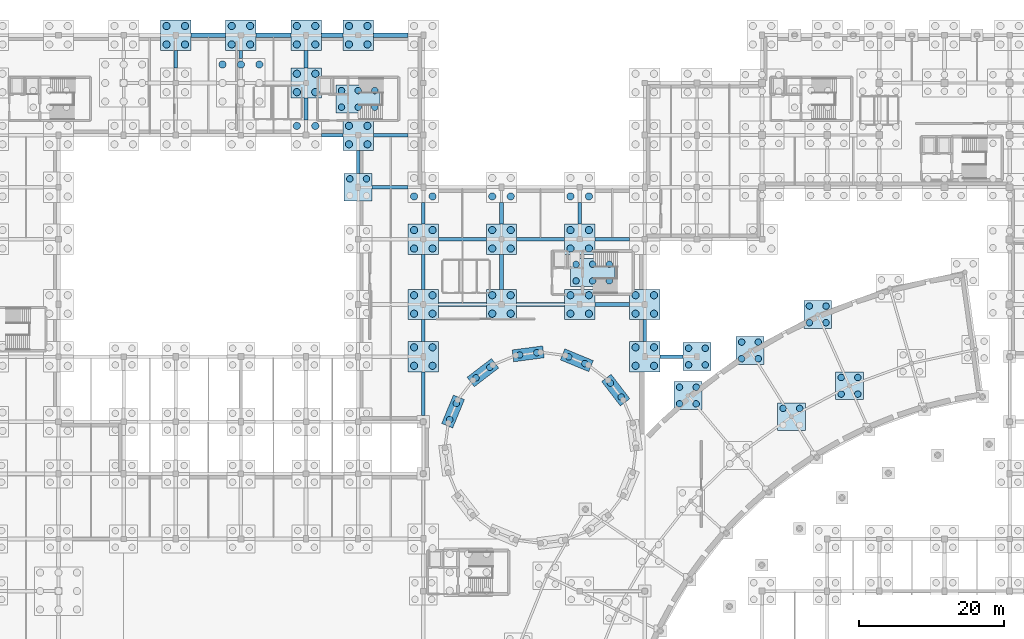
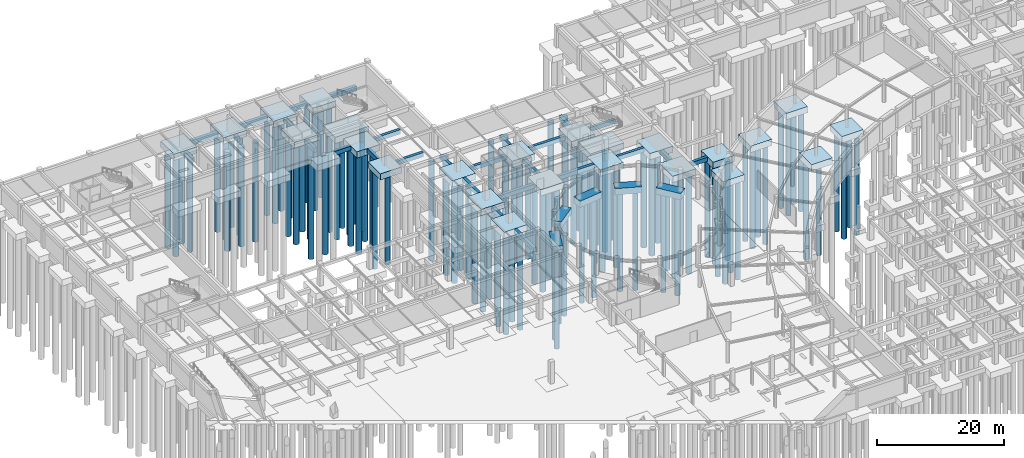
# One storey, part 7 of 42: 117 piles, 56 footings.
"""IFC4 building model written with IfcOpenShell, lengths in metres."""

from ifc_helpers import new_model, si_unit, direction, frame, frame_2d, origin, origin_2d, place, context, subcontext, project, spatial, polyline, rectangle, circle, outline, extrude, material, material_profile, profile_set, type_object, element, save


model = new_model("IFC4")

# Units and contexts
model_context = context("Model", 3, precision=1e-05, world=origin(), true_north=direction((0.0, 1.0)))
body_context = subcontext(model_context, "Body", "Model", "MODEL_VIEW")
ifc_project = project(units=[si_unit("LENGTHUNIT", "METRE"), si_unit("AREAUNIT", "SQUARE_METRE"), si_unit("VOLUMEUNIT", "CUBIC_METRE"), si_unit("PLANEANGLEUNIT", "RADIAN"), si_unit("MASSUNIT", "GRAM", prefix="KILO")], contexts=[model_context])

# Site, building, storey
site_placement = place(None, origin())
site = spatial("IfcSite", under=ifc_project, at=site_placement, CompositionType="ELEMENT")
building_placement = place(site_placement, origin())
building = spatial("IfcBuilding", under=site, at=building_placement, Name="Clarverna Civic Hall", CompositionType="ELEMENT")
storey_placement = place(building_placement, frame((0.0, 0.0, -4.199951171875)))
storey = spatial("IfcBuildingStorey", under=building, at=storey_placement, Name="B01", CompositionType="ELEMENT", Elevation=-4.199951171875)

# Footings
ifc_material = material(Name="Concrete C30/37", Category="concrete")
footing_type_1 = type_object("IfcFootingType", Name="FC-01", PredefinedType="PILE_CAP", material=ifc_material)
footing_1_placement = place(storey_placement, frame((0.0, 0.0, -1.199951171875)))
element("IfcFooting", 1, at=footing_1_placement, inside=storey, type_object=footing_type_1, Name="FC-01-002", PredefinedType="PILE_CAP", context=body_context, shape_type="SweptSolid", body=[
    extrude(outline(polyline([(95.130615234375, 65.783203125), (92.54345703125, 69.155029296875), (91.234619140625, 68.150634765625), (93.82177734375, 64.77880859375), (95.130615234375, 65.783203125)])), origin(), (0.0, 0.0, 1.0), 1.199951171875),
])
footing_2_placement = place(storey_placement, frame((0.0, 0.0, -1.199951171875)))
element("IfcFooting", 2, at=footing_2_placement, inside=storey, type_object=footing_type_1, Name="FC-01-003", PredefinedType="PILE_CAP", context=body_context, shape_type="SweptSolid", body=[
    extrude(outline(polyline([(90.087158203125, 71.039794921875), (86.16064453125, 72.666259765625), (85.529296875, 71.141845703125), (89.455810546875, 69.515380859375), (90.087158203125, 71.039794921875)])), origin(), (0.0, 0.0, 1.0), 1.199951171875),
])
footing_3_placement = place(storey_placement, frame((0.0, 0.0, -1.199951171875)))
element("IfcFooting", 3, at=footing_3_placement, inside=storey, type_object=footing_type_1, Name="FC-01-004", PredefinedType="PILE_CAP", context=body_context, shape_type="SweptSolid", body=[
    extrude(outline(polyline([(83.0908203125, 73.0703125), (78.877197265625, 72.515625), (79.0927734375, 70.8798828125), (83.306396484375, 71.4345703125), (83.0908203125, 73.0703125)])), origin(), (0.0, 0.0, 1.0), 1.199951171875),
])
footing_4_placement = place(storey_placement, frame((0.0, 0.0, -1.199951171875)))
element("IfcFooting", 4, at=footing_4_placement, inside=storey, type_object=footing_type_1, Name="FC-01-005", PredefinedType="PILE_CAP", context=body_context, shape_type="SweptSolid", body=[
    extrude(outline(polyline([(76.016845703125, 71.330810546875), (72.64501953125, 68.743408203125), (73.6494140625, 67.4345703125), (77.021240234375, 70.021728515625), (76.016845703125, 71.330810546875)])), origin(), (0.0, 0.0, 1.0), 1.199951171875),
])
footing_5_placement = place(storey_placement, frame((0.0, 0.0, -1.199951171875)))
element("IfcFooting", 5, at=footing_5_placement, inside=storey, type_object=footing_type_1, Name="FC-01-006", PredefinedType="PILE_CAP", context=body_context, shape_type="SweptSolid", body=[
    extrude(outline(polyline([(70.760009765625, 66.287109375), (69.1337890625, 62.360595703125), (70.658203125, 61.729248046875), (72.284423828125, 65.65576171875), (70.760009765625, 66.287109375)])), origin(), (0.0, 0.0, 1.0), 1.199951171875),
])
footing_type_2 = type_object("IfcFootingType", Name="FC-02", PredefinedType="PILE_CAP", material=ifc_material)
for number, where, z_axis, x_axis, name in (
    (6, (125.480712890625, 67.563232421875, -1.2001953125), (0.0, 0.0, 1.0), (1.0, 0.0, 0.0), "FC-02-003"),
    (7, (117.44921875, 63.292724609375, -1.2001953125), (0.0, 0.0, 1.0), (1.0, 0.0, 0.0), "FC-02-004"),
    (8, (121.087890625, 77.429443359375, -1.2001953125), (0.0, 0.0, 1.0), (1.0, 0.0, 0.0), "FC-02-013"),
    (9, (111.72607421875, 72.45166015625, -1.2001953125), (0.0, 0.0, 1.0), (1.0, 0.0, 0.0), "FC-02-014"),
    (10, (103.148193359375, 66.219482421875, -1.2001953125), (0.0, 0.0, 1.0), (1.0, 0.0, 0.0), "FC-02-015"),
    (11, (57.60009765625, 95.0, -1.2001953125), (0.0, 0.0, 1.0), (1.0, 0.0, 0.0), "FC-02-076"),
    (12, (104.39990234375, 71.60009765625, -1.2001953125), (0.0, 0.0, 1.0), (1.0, 0.0, 0.0), "FC-02-097"),
):
    element("IfcFooting", number, at=place(storey_placement, frame(where, z_axis=z_axis, x_axis=x_axis)), inside=storey, type_object=footing_type_2, Name=name, PredefinedType="PILE_CAP", context=body_context, shape_type="SweptSolid", body=[
        extrude(rectangle(XDim=3.85009765625, YDim=3.85009765625, at=origin_2d()), origin(), (0.0, 0.0, 1.0), 1.199951171875),
    ])
footing_type_3 = type_object("IfcFootingType", Name="FC-03", PredefinedType="PILE_CAP", material=ifc_material)
for number, where, z_axis, x_axis, name in (
    (13, (32.39990234375, 116.0, -1.2001953125), (0.0, 0.0, 1.0), (1.0, 0.0, 0.0), "FC-03-027"),
    (14, (41.39990234375, 116.0, -1.2001953125), (0.0, 0.0, 1.0), (1.0, 0.0, 0.0), "FC-03-029"),
    (15, (50.39990234375, 109.39990234375, -1.2001953125), (0.0, 0.0, 1.0), (1.0, 0.0, 0.0), "FC-03-031"),
    (16, (50.39990234375, 116.0, -1.2001953125), (0.0, 0.0, 1.0), (1.0, 0.0, 0.0), "FC-03-032"),
    (17, (57.60009765625, 102.199951171875, -1.2001953125), (0.0, 0.0, 1.0), (1.0, 0.0, 0.0), "FC-03-033"),
    (18, (57.60009765625, 116.0, -1.2001953125), (0.0, 0.0, 1.0), (1.0, 0.0, 0.0), "FC-03-034"),
    (19, (66.60009765625, 71.60009765625, -1.2001953125), (0.0, 0.0, 1.0), (1.0, 0.0, 0.0), "FC-03-036"),
    (20, (66.60009765625, 78.800048828125, -1.2001953125), (0.0, 0.0, 1.0), (1.0, 0.0, 0.0), "FC-03-037"),
    (21, (66.60009765625, 87.800048828125, -1.2001953125), (0.0, 0.0, 1.0), (1.0, 0.0, 0.0), "FC-03-038"),
    (22, (77.39990234375, 78.800048828125, -1.2001953125), (0.0, 0.0, 1.0), (1.0, 0.0, 0.0), "FC-03-043"),
    (23, (77.39990234375, 87.800048828125, -1.2001953125), (0.0, 0.0, 1.0), (1.0, 0.0, 0.0), "FC-03-044"),
    (24, (88.199951171875, 78.800048828125, -1.2001953125), (0.0, 0.0, 1.0), (1.0, 0.0, 0.0), "FC-03-046"),
    (25, (88.199951171875, 87.800048828125, -1.2001953125), (0.0, 0.0, 1.0), (1.0, 0.0, 0.0), "FC-03-047"),
    (26, (97.199951171875, 71.60009765625, -1.2001953125), (0.0, 0.0, 1.0), (1.0, 0.0, 0.0), "FC-03-049"),
    (27, (97.199951171875, 78.800048828125, -1.2001953125), (0.0, 0.0, 1.0), (1.0, 0.0, 0.0), "FC-03-050"),
):
    element("IfcFooting", number, at=place(storey_placement, frame(where, z_axis=z_axis, x_axis=x_axis)), inside=storey, type_object=footing_type_3, Name=name, PredefinedType="PILE_CAP", context=body_context, shape_type="SweptSolid", body=[
        extrude(rectangle(XDim=4.199951171875, YDim=4.199951171875, at=origin_2d()), origin(), (0.0, 0.0, 1.0), 1.199951171875),
    ])
footing_type_4 = type_object("IfcFootingType", Name="FC-04", PredefinedType="PILE_CAP", material=ifc_material)
for number, where, z_axis, x_axis, name in (
    (28, (90.0, 83.199951171875, -1.2001953125), (0.0, 0.0, 1.0), (1.0, 0.0, 0.0), "FC-04-024"),
    (29, (57.60009765625, 107.199951171875, -1.2001953125), (0.0, 0.0, 1.0), (1.0, 0.0, 0.0), "FC-04-027"),
):
    element("IfcFooting", number, at=place(storey_placement, frame(where, z_axis=z_axis, x_axis=x_axis)), inside=storey, type_object=footing_type_4, Name=name, PredefinedType="PILE_CAP", context=body_context, shape_type="SweptSolid", body=[
        extrude(rectangle(XDim=6.10009765625, YDim=3.85009765625, at=origin_2d()), origin(), (0.0, 0.0, 1.0), 1.199951171875),
    ])
footing_type_5 = type_object("IfcFootingType", Name="GB-01", PredefinedType="FOOTING_BEAM", material=ifc_material)
footing_6_placement = place(storey_placement, frame((99.300048828125, 71.60009765625, -0.800048828125), z_axis=(0.0, 0.0, 1.0), x_axis=(1.0, 0.0, 0.0)))
element("IfcFooting", 30, at=footing_6_placement, inside=storey, type_object=footing_type_5, Name="GB-01-112", PredefinedType="FOOTING_BEAM", context=body_context, shape_type="SweptSolid", body=[
    extrude(rectangle(XDim=3.175048828125, YDim=0.5, at=frame_2d((1.58740234375, 0.0))), origin(), (0.0, 0.0, 1.0), 0.800048828125),
])
for number, where, z_axis, x_axis, name in (
    (31, (68.699951171875, 78.800048828125, -0.800048828125), (0.0, 0.0, 1.0), (1.0, 0.0, 0.0), "GB-01-117"),
    (32, (79.5, 78.800048828125, -0.800048828125), (0.0, 0.0, 1.0), (1.0, 0.0, 0.0), "GB-01-118"),
):
    element("IfcFooting", number, at=place(storey_placement, frame(where, z_axis=z_axis, x_axis=x_axis)), inside=storey, type_object=footing_type_5, Name=name, PredefinedType="FOOTING_BEAM", context=body_context, shape_type="SweptSolid", body=[
        extrude(rectangle(XDim=6.60009765625, YDim=0.5, at=frame_2d((3.300048828125, 0.0))), origin(), (0.0, 0.0, 1.0), 0.800048828125),
    ])
footing_7_placement = place(storey_placement, frame((90.300048828125, 78.800048828125, -0.800048828125), z_axis=(0.0, 0.0, 1.0), x_axis=(1.0, 0.0, 0.0)))
element("IfcFooting", 33, at=footing_7_placement, inside=storey, type_object=footing_type_5, Name="GB-01-119", PredefinedType="FOOTING_BEAM", context=body_context, shape_type="SweptSolid", body=[
    extrude(rectangle(XDim=4.800048828125, YDim=0.5, at=frame_2d((2.39990234375, 0.0))), origin(), (0.0, 0.0, 1.0), 0.800048828125),
])
for number, where, z_axis, x_axis, name in (
    (34, (68.699951171875, 87.800048828125, -0.800048828125), (0.0, 0.0, 1.0), (1.0, 0.0, 0.0), "GB-01-126"),
    (35, (79.5, 87.800048828125, -0.800048828125), (0.0, 0.0, 1.0), (1.0, 0.0, 0.0), "GB-01-127"),
):
    element("IfcFooting", number, at=place(storey_placement, frame(where, z_axis=z_axis, x_axis=x_axis)), inside=storey, type_object=footing_type_5, Name=name, PredefinedType="FOOTING_BEAM", context=body_context, shape_type="SweptSolid", body=[
        extrude(rectangle(XDim=6.60009765625, YDim=0.5, at=frame_2d((3.300048828125, 0.0))), origin(), (0.0, 0.0, 1.0), 0.800048828125),
    ])
footing_8_placement = place(storey_placement, frame((90.300048828125, 87.800048828125, -0.800048828125), z_axis=(0.0, 0.0, 1.0), x_axis=(1.0, 0.0, 0.0)))
element("IfcFooting", 36, at=footing_8_placement, inside=storey, type_object=footing_type_5, Name="GB-01-128", PredefinedType="FOOTING_BEAM", context=body_context, shape_type="SweptSolid", body=[
    extrude(rectangle(XDim=4.800048828125, YDim=0.5, at=frame_2d((2.39990234375, 0.0))), origin(), (0.0, 0.0, 1.0), 0.800048828125),
])
footing_9_placement = place(storey_placement, frame((59.52490234375, 95.0, -0.800048828125), z_axis=(0.0, 0.0, 1.0), x_axis=(1.0, 0.0, 0.0)))
element("IfcFooting", 37, at=footing_9_placement, inside=storey, type_object=footing_type_5, Name="GB-01-136", PredefinedType="FOOTING_BEAM", context=body_context, shape_type="SweptSolid", body=[
    extrude(rectangle(XDim=4.97509765625, YDim=0.5, at=frame_2d((2.487548828125, 0.0))), origin(), (0.0, 0.0, 1.0), 0.800048828125),
])
footing_10_placement = place(storey_placement, frame((52.5, 102.199951171875, -0.800048828125), z_axis=(0.0, 0.0, 1.0), x_axis=(1.0, 0.0, 0.0)))
element("IfcFooting", 38, at=footing_10_placement, inside=storey, type_object=footing_type_5, Name="GB-01-155", PredefinedType="FOOTING_BEAM", context=body_context, shape_type="SweptSolid", body=[
    extrude(rectangle(XDim=3.0, YDim=0.5, at=frame_2d((1.5, 0.0))), origin(), (0.0, 0.0, 1.0), 0.800048828125),
])
footing_11_placement = place(storey_placement, frame((59.699951171875, 102.199951171875, -0.800048828125), z_axis=(0.0, 0.0, 1.0), x_axis=(1.0, 0.0, 0.0)))
element("IfcFooting", 39, at=footing_11_placement, inside=storey, type_object=footing_type_5, Name="GB-01-156", PredefinedType="FOOTING_BEAM", context=body_context, shape_type="SweptSolid", body=[
    extrude(rectangle(XDim=4.800048828125, YDim=0.5, at=frame_2d((2.39990234375, 0.0))), origin(), (0.0, 0.0, 1.0), 0.800048828125),
])
footing_12_placement = place(storey_placement, frame((32.39990234375, 111.5, -0.800048828125), z_axis=(0.0, 0.0, 1.0), x_axis=(0.0, 1.0, 0.0)))
element("IfcFooting", 40, at=footing_12_placement, inside=storey, type_object=footing_type_5, Name="GB-01-211", PredefinedType="FOOTING_BEAM", context=body_context, shape_type="SweptSolid", body=[
    extrude(rectangle(XDim=2.39990234375, YDim=0.5, at=frame_2d((1.199951171875, 0.0))), origin(), (0.0, 0.0, 1.0), 0.800048828125),
])
footing_13_placement = place(storey_placement, frame((41.39990234375, 112.75, -0.800048828125), z_axis=(0.0, 0.0, 1.0), x_axis=(0.0, 1.0, 0.0)))
element("IfcFooting", 41, at=footing_13_placement, inside=storey, type_object=footing_type_5, Name="GB-01-218", PredefinedType="FOOTING_BEAM", context=body_context, shape_type="SweptSolid", body=[
    extrude(rectangle(XDim=1.14990234375, YDim=0.5, at=frame_2d((0.574951171875, 0.0))), origin(), (0.0, 0.0, 1.0), 0.800048828125),
])
footing_14_placement = place(storey_placement, frame((50.39990234375, 104.300048828125, -0.800048828125), z_axis=(0.0, 0.0, 1.0), x_axis=(0.0, 1.0, 0.0)))
element("IfcFooting", 42, at=footing_14_placement, inside=storey, type_object=footing_type_5, Name="GB-01-224", PredefinedType="FOOTING_BEAM", context=body_context, shape_type="SweptSolid", body=[
    extrude(rectangle(XDim=3.0, YDim=0.5, at=frame_2d((1.5, 0.0))), origin(), (0.0, 0.0, 1.0), 0.800048828125),
])
footing_15_placement = place(storey_placement, frame((50.39990234375, 111.5, -0.800048828125), z_axis=(0.0, 0.0, 1.0), x_axis=(0.0, 1.0, 0.0)))
element("IfcFooting", 43, at=footing_15_placement, inside=storey, type_object=footing_type_5, Name="GB-01-225", PredefinedType="FOOTING_BEAM", context=body_context, shape_type="SweptSolid", body=[
    extrude(rectangle(XDim=2.39990234375, YDim=0.5, at=frame_2d((1.199951171875, 0.0))), origin(), (0.0, 0.0, 1.0), 0.800048828125),
])
footing_16_placement = place(storey_placement, frame((57.60009765625, 96.925048828125, -0.800048828125), z_axis=(0.0, 0.0, 1.0), x_axis=(0.0, 1.0, 0.0)))
element("IfcFooting", 44, at=footing_16_placement, inside=storey, type_object=footing_type_5, Name="GB-01-232", PredefinedType="FOOTING_BEAM", context=body_context, shape_type="SweptSolid", body=[
    extrude(rectangle(XDim=3.175048828125, YDim=0.5, at=frame_2d((1.58740234375, 0.0))), origin(), (0.0, 0.0, 1.0), 0.800048828125),
])
footing_17_placement = place(storey_placement, frame((66.60009765625, 63.449951171875, -0.800048828125), z_axis=(0.0, 0.0, 1.0), x_axis=(0.0, 1.0, 0.0)))
element("IfcFooting", 45, at=footing_17_placement, inside=storey, type_object=footing_type_5, Name="GB-01-241", PredefinedType="FOOTING_BEAM", context=body_context, shape_type="SweptSolid", body=[
    extrude(rectangle(XDim=6.050048828125, YDim=0.5, at=frame_2d((3.02490234375, 0.0))), origin(), (0.0, 0.0, 1.0), 0.800048828125),
])
footing_18_placement = place(storey_placement, frame((66.60009765625, 73.699951171875, -0.800048828125), z_axis=(0.0, 0.0, 1.0), x_axis=(0.0, 1.0, 0.0)))
element("IfcFooting", 46, at=footing_18_placement, inside=storey, type_object=footing_type_5, Name="GB-01-242", PredefinedType="FOOTING_BEAM", context=body_context, shape_type="SweptSolid", body=[
    extrude(rectangle(XDim=3.0, YDim=0.5, at=frame_2d((1.5, 0.0))), origin(), (0.0, 0.0, 1.0), 0.800048828125),
])
footing_19_placement = place(storey_placement, frame((66.60009765625, 80.89990234375, -0.800048828125), z_axis=(0.0, 0.0, 1.0), x_axis=(0.0, 1.0, 0.0)))
element("IfcFooting", 47, at=footing_19_placement, inside=storey, type_object=footing_type_5, Name="GB-01-243", PredefinedType="FOOTING_BEAM", context=body_context, shape_type="SweptSolid", body=[
    extrude(rectangle(XDim=4.800048828125, YDim=0.5, at=frame_2d((2.39990234375, 0.0))), origin(), (0.0, 0.0, 1.0), 0.800048828125),
])
footing_20_placement = place(storey_placement, frame((66.60009765625, 89.89990234375, -0.800048828125), z_axis=(0.0, 0.0, 1.0), x_axis=(0.0, 1.0, 0.0)))
element("IfcFooting", 48, at=footing_20_placement, inside=storey, type_object=footing_type_5, Name="GB-01-244", PredefinedType="FOOTING_BEAM", context=body_context, shape_type="SweptSolid", body=[
    extrude(rectangle(XDim=3.0, YDim=0.5, at=frame_2d((1.5, 0.0))), origin(), (0.0, 0.0, 1.0), 0.800048828125),
])
footing_21_placement = place(storey_placement, frame((77.39990234375, 80.89990234375, -0.800048828125), z_axis=(0.0, 0.0, 1.0), x_axis=(0.0, 1.0, 0.0)))
element("IfcFooting", 49, at=footing_21_placement, inside=storey, type_object=footing_type_5, Name="GB-01-250", PredefinedType="FOOTING_BEAM", context=body_context, shape_type="SweptSolid", body=[
    extrude(rectangle(XDim=4.800048828125, YDim=0.5, at=frame_2d((2.39990234375, 0.0))), origin(), (0.0, 0.0, 1.0), 0.800048828125),
])
for number, where, z_axis, x_axis, name in (
    (50, (77.39990234375, 89.89990234375, -0.800048828125), (0.0, 0.0, 1.0), (0.0, 1.0, 0.0), "GB-01-251"),
    (51, (88.199951171875, 89.89990234375, -0.800048828125), (0.0, 0.0, 1.0), (0.0, 1.0, 0.0), "GB-01-256"),
    (52, (97.199951171875, 73.699951171875, -0.800048828125), (0.0, 0.0, 1.0), (0.0, 1.0, 0.0), "GB-01-262"),
):
    element("IfcFooting", number, at=place(storey_placement, frame(where, z_axis=z_axis, x_axis=x_axis)), inside=storey, type_object=footing_type_5, Name=name, PredefinedType="FOOTING_BEAM", context=body_context, shape_type="SweptSolid", body=[
        extrude(rectangle(XDim=3.0, YDim=0.5, at=frame_2d((1.5, 0.0))), origin(), (0.0, 0.0, 1.0), 0.800048828125),
    ])
footing_type_6 = type_object("IfcFootingType", Name="GB-02", PredefinedType="FOOTING_BEAM", material=ifc_material)
for number, where, z_axis, x_axis, name in (
    (53, (34.5, 116.0, -0.900146484375), (0.0, 0.0, 1.0), (1.0, 0.0, 0.0), "GB-02-025"),
    (54, (43.5, 116.0, -0.900146484375), (0.0, 0.0, 1.0), (1.0, 0.0, 0.0), "GB-02-026"),
):
    element("IfcFooting", number, at=place(storey_placement, frame(where, z_axis=z_axis, x_axis=x_axis)), inside=storey, type_object=footing_type_6, Name=name, PredefinedType="FOOTING_BEAM", context=body_context, shape_type="SweptSolid", body=[
        extrude(rectangle(XDim=4.800048828125, YDim=0.60009765625, at=frame_2d((2.39990234375, 0.0))), origin(), (0.0, 0.0, 1.0), 0.900146484375),
    ])
footing_22_placement = place(storey_placement, frame((52.5, 116.0, -0.900146484375), z_axis=(0.0, 0.0, 1.0), x_axis=(1.0, 0.0, 0.0)))
element("IfcFooting", 55, at=footing_22_placement, inside=storey, type_object=footing_type_6, Name="GB-02-027", PredefinedType="FOOTING_BEAM", context=body_context, shape_type="SweptSolid", body=[
    extrude(rectangle(XDim=3.0, YDim=0.60009765625, at=frame_2d((1.5, 0.0))), origin(), (0.0, 0.0, 1.0), 0.900146484375),
])
footing_23_placement = place(storey_placement, frame((59.699951171875, 116.0, -0.900146484375), z_axis=(0.0, 0.0, 1.0), x_axis=(1.0, 0.0, 0.0)))
element("IfcFooting", 56, at=footing_23_placement, inside=storey, type_object=footing_type_6, Name="GB-02-028", PredefinedType="FOOTING_BEAM", context=body_context, shape_type="SweptSolid", body=[
    extrude(rectangle(XDim=4.800048828125, YDim=0.60009765625, at=frame_2d((2.39990234375, 0.0))), origin(), (0.0, 0.0, 1.0), 0.900146484375),
])

# Piles
ifc_material_profile_1 = material_profile(ifc_material, circle(Radius=0.449951171875, at=origin_2d()), Name="BORED PILE D900")
ifc_profile_set_1 = profile_set([ifc_material_profile_1], Name="Concrete C30/37")
pile_type_1 = type_object("IfcPileType", Name="PL-01", PredefinedType="BORED", material=ifc_profile_set_1)
for number, where, z_axis, x_axis, name in (
    (57, (93.9130859375, 66.014892578125, -1.10009765625), (0.0, 0.0, -1.0), (1.0, 0.0, 0.0), "PL-01-003"),
    (58, (92.4521484375, 67.9189453125, -1.10009765625), (0.0, 0.0, -1.0), (1.0, 0.0, 0.0), "PL-01-004"),
    (59, (88.9169921875, 70.631591796875, -1.10009765625), (0.0, 0.0, -1.0), (1.0, 0.0, 0.0), "PL-01-005"),
    (60, (86.699462890625, 71.550048828125, -1.10009765625), (0.0, 0.0, -1.0), (1.0, 0.0, 0.0), "PL-01-006"),
    (61, (82.281494140625, 72.131591796875, -1.10009765625), (0.0, 0.0, -1.0), (1.0, 0.0, 0.0), "PL-01-007"),
    (62, (79.902099609375, 71.818603515625, -1.10009765625), (0.0, 0.0, -1.0), (1.0, 0.0, 0.0), "PL-01-008"),
    (63, (75.78515625, 70.113037109375, -1.10009765625), (0.0, 0.0, -1.0), (1.0, 0.0, 0.0), "PL-01-009"),
    (64, (73.881103515625, 68.652099609375, -1.10009765625), (0.0, 0.0, -1.0), (1.0, 0.0, 0.0), "PL-01-010"),
    (65, (71.168212890625, 65.116943359375, -1.10009765625), (0.0, 0.0, -1.0), (1.0, 0.0, 0.0), "PL-01-011"),
    (66, (70.25, 62.8994140625, -1.10009765625), (0.0, 0.0, -1.0), (1.0, 0.0, 0.0), "PL-01-012"),
    (67, (124.330810546875, 66.4130859375, -1.10009765625), (0.0, 0.0, -1.0), (1.0, 0.0, 0.0), "PL-01-033"),
    (68, (126.630859375, 66.4130859375, -1.10009765625), (0.0, 0.0, -1.0), (1.0, 0.0, 0.0), "PL-01-034"),
    (69, (124.330810546875, 68.713134765625, -1.10009765625), (0.0, 0.0, -1.0), (1.0, 0.0, 0.0), "PL-01-035"),
    (70, (126.630859375, 68.713134765625, -1.10009765625), (0.0, 0.0, -1.0), (1.0, 0.0, 0.0), "PL-01-036"),
    (71, (116.29931640625, 64.442626953125, -1.10009765625), (0.0, 0.0, -1.0), (1.0, 0.0, 0.0), "PL-01-039"),
    (72, (118.599365234375, 64.442626953125, -1.10009765625), (0.0, 0.0, -1.0), (1.0, 0.0, 0.0), "PL-01-040"),
    (73, (119.93798828125, 76.279541015625, -1.10009765625), (0.0, 0.0, -1.0), (1.0, 0.0, 0.0), "PL-01-073"),
    (74, (122.238037109375, 76.279541015625, -1.10009765625), (0.0, 0.0, -1.0), (1.0, 0.0, 0.0), "PL-01-074"),
    (75, (119.93798828125, 78.57958984375, -1.10009765625), (0.0, 0.0, -1.0), (1.0, 0.0, 0.0), "PL-01-075"),
    (76, (122.238037109375, 78.57958984375, -1.10009765625), (0.0, 0.0, -1.0), (1.0, 0.0, 0.0), "PL-01-076"),
    (77, (110.576171875, 71.3017578125, -1.10009765625), (0.0, 0.0, -1.0), (1.0, 0.0, 0.0), "PL-01-077"),
    (78, (112.876220703125, 71.3017578125, -1.10009765625), (0.0, 0.0, -1.0), (1.0, 0.0, 0.0), "PL-01-078"),
    (79, (110.576171875, 73.601806640625, -1.10009765625), (0.0, 0.0, -1.0), (1.0, 0.0, 0.0), "PL-01-079"),
    (80, (112.876220703125, 73.601806640625, -1.10009765625), (0.0, 0.0, -1.0), (1.0, 0.0, 0.0), "PL-01-080"),
    (81, (101.998046875, 65.0693359375, -1.10009765625), (0.0, 0.0, -1.0), (1.0, 0.0, 0.0), "PL-01-081"),
    (82, (104.298095703125, 65.0693359375, -1.10009765625), (0.0, 0.0, -1.0), (1.0, 0.0, 0.0), "PL-01-082"),
    (83, (101.998046875, 67.369384765625, -1.10009765625), (0.0, 0.0, -1.0), (1.0, 0.0, 0.0), "PL-01-083"),
    (84, (104.298095703125, 67.369384765625, -1.10009765625), (0.0, 0.0, -1.0), (1.0, 0.0, 0.0), "PL-01-084"),
    (85, (56.449951171875, 96.14990234375, -1.10009765625), (0.0, 0.0, -1.0), (1.0, 0.0, 0.0), "PL-01-348"),
    (86, (58.75, 96.14990234375, -1.10009765625), (0.0, 0.0, -1.0), (1.0, 0.0, 0.0), "PL-01-349"),
    (87, (103.25, 70.449951171875, -1.10009765625), (0.0, 0.0, -1.0), (1.0, 0.0, 0.0), "PL-01-435"),
    (88, (105.550048828125, 70.449951171875, -1.10009765625), (0.0, 0.0, -1.0), (1.0, 0.0, 0.0), "PL-01-436"),
    (89, (103.25, 72.75, -1.10009765625), (0.0, 0.0, -1.0), (1.0, 0.0, 0.0), "PL-01-437"),
    (90, (105.550048828125, 72.75, -1.10009765625), (0.0, 0.0, -1.0), (1.0, 0.0, 0.0), "PL-01-438"),
    (91, (87.699951171875, 82.050048828125, -1.10009765625), (0.0, 0.0, -1.0), (1.0, 0.0, 0.0), "PL-01-844"),
    (92, (90.0, 82.050048828125, -1.10009765625), (0.0, 0.0, -1.0), (1.0, 0.0, 0.0), "PL-01-845"),
    (93, (92.300048828125, 82.050048828125, -1.10009765625), (0.0, 0.0, -1.0), (1.0, 0.0, 0.0), "PL-01-846"),
    (94, (87.699951171875, 84.35009765625, -1.10009765625), (0.0, 0.0, -1.0), (1.0, 0.0, 0.0), "PL-01-847"),
    (95, (90.0, 84.35009765625, -1.10009765625), (0.0, 0.0, -1.0), (1.0, 0.0, 0.0), "PL-01-848"),
    (96, (92.300048828125, 84.35009765625, -1.10009765625), (0.0, 0.0, -1.0), (1.0, 0.0, 0.0), "PL-01-849"),
    (97, (55.300048828125, 106.050048828125, -1.10009765625), (0.0, 0.0, -1.0), (1.0, 0.0, 0.0), "PL-01-862"),
    (98, (57.60009765625, 106.050048828125, -1.10009765625), (0.0, 0.0, -1.0), (1.0, 0.0, 0.0), "PL-01-863"),
    (99, (59.89990234375, 106.050048828125, -1.10009765625), (0.0, 0.0, -1.0), (1.0, 0.0, 0.0), "PL-01-864"),
    (100, (55.300048828125, 108.35009765625, -1.10009765625), (0.0, 0.0, -1.0), (1.0, 0.0, 0.0), "PL-01-865"),
    (101, (57.60009765625, 108.35009765625, -1.10009765625), (0.0, 0.0, -1.0), (1.0, 0.0, 0.0), "PL-01-866"),
    (102, (59.89990234375, 108.35009765625, -1.10009765625), (0.0, 0.0, -1.0), (1.0, 0.0, 0.0), "PL-01-867"),
):
    element("IfcPile", number, at=place(storey_placement, frame(where, z_axis=z_axis, x_axis=x_axis)), inside=storey, type_object=pile_type_1, Name=name, PredefinedType="BORED", context=body_context, shape_type="SweptSolid", body=[
        extrude(circle(Radius=0.449951171875, at=origin_2d()), origin(), (0.0, 0.0, 1.0), 19.0),
    ])
ifc_material_profile_2 = material_profile(ifc_material, circle(Radius=0.5, at=origin_2d()), Name="BORED PILE D1000")
ifc_profile_set_2 = profile_set([ifc_material_profile_2], Name="Concrete C30/37")
pile_type_2 = type_object("IfcPileType", Name="PL-02", PredefinedType="BORED", material=ifc_profile_set_2)
for number, where, z_axis, x_axis, name in (
    (103, (31.125, 114.72509765625, -1.10009765625), (0.0, 0.0, -1.0), (1.0, 0.0, 0.0), "PL-02-141"),
    (104, (33.675048828125, 114.72509765625, -1.10009765625), (0.0, 0.0, -1.0), (1.0, 0.0, 0.0), "PL-02-142"),
    (105, (31.125, 117.27490234375, -1.10009765625), (0.0, 0.0, -1.0), (1.0, 0.0, 0.0), "PL-02-143"),
    (106, (33.675048828125, 117.27490234375, -1.10009765625), (0.0, 0.0, -1.0), (1.0, 0.0, 0.0), "PL-02-144"),
    (107, (38.85009765625, 111.949951171875, -1.10009765625), (0.0, 0.0, -1.0), (1.0, 0.0, 0.0), "PL-02-160"),
    (108, (41.39990234375, 111.949951171875, -1.10009765625), (0.0, 0.0, -1.0), (1.0, 0.0, 0.0), "PL-02-163"),
    (109, (43.949951171875, 111.949951171875, -1.10009765625), (0.0, 0.0, -1.0), (1.0, 0.0, 0.0), "PL-02-166"),
    (110, (40.125, 114.72509765625, -1.10009765625), (0.0, 0.0, -1.0), (1.0, 0.0, 0.0), "PL-02-167"),
    (111, (42.675048828125, 114.72509765625, -1.10009765625), (0.0, 0.0, -1.0), (1.0, 0.0, 0.0), "PL-02-168"),
    (112, (40.125, 117.27490234375, -1.10009765625), (0.0, 0.0, -1.0), (1.0, 0.0, 0.0), "PL-02-169"),
    (113, (42.675048828125, 117.27490234375, -1.10009765625), (0.0, 0.0, -1.0), (1.0, 0.0, 0.0), "PL-02-170"),
    (114, (49.125, 103.47509765625, -1.10009765625), (0.0, 0.0, -1.0), (1.0, 0.0, 0.0), "PL-02-173"),
    (115, (51.675048828125, 103.47509765625, -1.10009765625), (0.0, 0.0, -1.0), (1.0, 0.0, 0.0), "PL-02-174"),
    (116, (49.125, 108.125, -1.10009765625), (0.0, 0.0, -1.0), (1.0, 0.0, 0.0), "PL-02-175"),
    (117, (51.675048828125, 108.125, -1.10009765625), (0.0, 0.0, -1.0), (1.0, 0.0, 0.0), "PL-02-176"),
    (118, (49.125, 110.675048828125, -1.10009765625), (0.0, 0.0, -1.0), (1.0, 0.0, 0.0), "PL-02-177"),
    (119, (51.675048828125, 110.675048828125, -1.10009765625), (0.0, 0.0, -1.0), (1.0, 0.0, 0.0), "PL-02-178"),
    (120, (49.125, 114.72509765625, -1.10009765625), (0.0, 0.0, -1.0), (1.0, 0.0, 0.0), "PL-02-179"),
    (121, (51.675048828125, 114.72509765625, -1.10009765625), (0.0, 0.0, -1.0), (1.0, 0.0, 0.0), "PL-02-180"),
    (122, (49.125, 117.27490234375, -1.10009765625), (0.0, 0.0, -1.0), (1.0, 0.0, 0.0), "PL-02-181"),
    (123, (51.675048828125, 117.27490234375, -1.10009765625), (0.0, 0.0, -1.0), (1.0, 0.0, 0.0), "PL-02-182"),
    (124, (56.324951171875, 100.925048828125, -1.10009765625), (0.0, 0.0, -1.0), (1.0, 0.0, 0.0), "PL-02-183"),
    (125, (58.875, 100.925048828125, -1.10009765625), (0.0, 0.0, -1.0), (1.0, 0.0, 0.0), "PL-02-184"),
    (126, (56.324951171875, 103.47509765625, -1.10009765625), (0.0, 0.0, -1.0), (1.0, 0.0, 0.0), "PL-02-185"),
    (127, (58.875, 103.47509765625, -1.10009765625), (0.0, 0.0, -1.0), (1.0, 0.0, 0.0), "PL-02-186"),
    (128, (56.324951171875, 114.72509765625, -1.10009765625), (0.0, 0.0, -1.0), (1.0, 0.0, 0.0), "PL-02-187"),
    (129, (58.875, 114.72509765625, -1.10009765625), (0.0, 0.0, -1.0), (1.0, 0.0, 0.0), "PL-02-188"),
    (130, (56.324951171875, 117.27490234375, -1.10009765625), (0.0, 0.0, -1.0), (1.0, 0.0, 0.0), "PL-02-189"),
    (131, (58.875, 117.27490234375, -1.10009765625), (0.0, 0.0, -1.0), (1.0, 0.0, 0.0), "PL-02-190"),
    (132, (65.324951171875, 70.324951171875, -1.10009765625), (0.0, 0.0, -1.0), (1.0, 0.0, 0.0), "PL-02-195"),
    (133, (67.875, 70.324951171875, -1.10009765625), (0.0, 0.0, -1.0), (1.0, 0.0, 0.0), "PL-02-196"),
    (134, (65.324951171875, 72.875, -1.10009765625), (0.0, 0.0, -1.0), (1.0, 0.0, 0.0), "PL-02-197"),
    (135, (67.875, 72.875, -1.10009765625), (0.0, 0.0, -1.0), (1.0, 0.0, 0.0), "PL-02-198"),
    (136, (65.324951171875, 77.52490234375, -1.10009765625), (0.0, 0.0, -1.0), (1.0, 0.0, 0.0), "PL-02-199"),
    (137, (67.875, 77.52490234375, -1.10009765625), (0.0, 0.0, -1.0), (1.0, 0.0, 0.0), "PL-02-200"),
    (138, (65.324951171875, 80.074951171875, -1.10009765625), (0.0, 0.0, -1.0), (1.0, 0.0, 0.0), "PL-02-201"),
    (139, (67.875, 80.074951171875, -1.10009765625), (0.0, 0.0, -1.0), (1.0, 0.0, 0.0), "PL-02-202"),
    (140, (65.324951171875, 86.52490234375, -1.10009765625), (0.0, 0.0, -1.0), (1.0, 0.0, 0.0), "PL-02-203"),
    (141, (67.875, 86.52490234375, -1.10009765625), (0.0, 0.0, -1.0), (1.0, 0.0, 0.0), "PL-02-204"),
    (142, (65.324951171875, 89.074951171875, -1.10009765625), (0.0, 0.0, -1.0), (1.0, 0.0, 0.0), "PL-02-205"),
    (143, (67.875, 89.074951171875, -1.10009765625), (0.0, 0.0, -1.0), (1.0, 0.0, 0.0), "PL-02-206"),
    (144, (65.324951171875, 93.72509765625, -1.10009765625), (0.0, 0.0, -1.0), (1.0, 0.0, 0.0), "PL-02-207"),
    (145, (67.875, 93.72509765625, -1.10009765625), (0.0, 0.0, -1.0), (1.0, 0.0, 0.0), "PL-02-208"),
    (146, (76.125, 77.52490234375, -1.10009765625), (0.0, 0.0, -1.0), (1.0, 0.0, 0.0), "PL-02-223"),
    (147, (78.675048828125, 77.52490234375, -1.10009765625), (0.0, 0.0, -1.0), (1.0, 0.0, 0.0), "PL-02-224"),
    (148, (76.125, 80.074951171875, -1.10009765625), (0.0, 0.0, -1.0), (1.0, 0.0, 0.0), "PL-02-225"),
    (149, (78.675048828125, 80.074951171875, -1.10009765625), (0.0, 0.0, -1.0), (1.0, 0.0, 0.0), "PL-02-226"),
    (150, (76.125, 86.52490234375, -1.10009765625), (0.0, 0.0, -1.0), (1.0, 0.0, 0.0), "PL-02-227"),
    (151, (78.675048828125, 86.52490234375, -1.10009765625), (0.0, 0.0, -1.0), (1.0, 0.0, 0.0), "PL-02-228"),
    (152, (76.125, 89.074951171875, -1.10009765625), (0.0, 0.0, -1.0), (1.0, 0.0, 0.0), "PL-02-229"),
    (153, (78.675048828125, 89.074951171875, -1.10009765625), (0.0, 0.0, -1.0), (1.0, 0.0, 0.0), "PL-02-230"),
    (154, (76.125, 93.72509765625, -1.10009765625), (0.0, 0.0, -1.0), (1.0, 0.0, 0.0), "PL-02-231"),
    (155, (78.675048828125, 93.72509765625, -1.10009765625), (0.0, 0.0, -1.0), (1.0, 0.0, 0.0), "PL-02-232"),
    (156, (86.925048828125, 77.52490234375, -1.10009765625), (0.0, 0.0, -1.0), (1.0, 0.0, 0.0), "PL-02-235"),
    (157, (89.47509765625, 77.52490234375, -1.10009765625), (0.0, 0.0, -1.0), (1.0, 0.0, 0.0), "PL-02-236"),
    (158, (86.925048828125, 80.074951171875, -1.10009765625), (0.0, 0.0, -1.0), (1.0, 0.0, 0.0), "PL-02-237"),
    (159, (89.47509765625, 80.074951171875, -1.10009765625), (0.0, 0.0, -1.0), (1.0, 0.0, 0.0), "PL-02-238"),
    (160, (86.925048828125, 86.52490234375, -1.10009765625), (0.0, 0.0, -1.0), (1.0, 0.0, 0.0), "PL-02-239"),
    (161, (89.47509765625, 86.52490234375, -1.10009765625), (0.0, 0.0, -1.0), (1.0, 0.0, 0.0), "PL-02-240"),
    (162, (86.925048828125, 89.074951171875, -1.10009765625), (0.0, 0.0, -1.0), (1.0, 0.0, 0.0), "PL-02-241"),
    (163, (89.47509765625, 89.074951171875, -1.10009765625), (0.0, 0.0, -1.0), (1.0, 0.0, 0.0), "PL-02-242"),
    (164, (86.925048828125, 93.72509765625, -1.10009765625), (0.0, 0.0, -1.0), (1.0, 0.0, 0.0), "PL-02-243"),
    (165, (89.47509765625, 93.72509765625, -1.10009765625), (0.0, 0.0, -1.0), (1.0, 0.0, 0.0), "PL-02-244"),
    (166, (95.925048828125, 70.324951171875, -1.10009765625), (0.0, 0.0, -1.0), (1.0, 0.0, 0.0), "PL-02-247"),
    (167, (98.47509765625, 70.324951171875, -1.10009765625), (0.0, 0.0, -1.0), (1.0, 0.0, 0.0), "PL-02-248"),
    (168, (95.925048828125, 72.875, -1.10009765625), (0.0, 0.0, -1.0), (1.0, 0.0, 0.0), "PL-02-249"),
    (169, (98.47509765625, 72.875, -1.10009765625), (0.0, 0.0, -1.0), (1.0, 0.0, 0.0), "PL-02-250"),
    (170, (95.925048828125, 77.52490234375, -1.10009765625), (0.0, 0.0, -1.0), (1.0, 0.0, 0.0), "PL-02-251"),
    (171, (98.47509765625, 77.52490234375, -1.10009765625), (0.0, 0.0, -1.0), (1.0, 0.0, 0.0), "PL-02-252"),
    (172, (95.925048828125, 80.074951171875, -1.10009765625), (0.0, 0.0, -1.0), (1.0, 0.0, 0.0), "PL-02-253"),
    (173, (98.47509765625, 80.074951171875, -1.10009765625), (0.0, 0.0, -1.0), (1.0, 0.0, 0.0), "PL-02-254"),
):
    element("IfcPile", number, at=place(storey_placement, frame(where, z_axis=z_axis, x_axis=x_axis)), inside=storey, type_object=pile_type_2, Name=name, PredefinedType="BORED", context=body_context, shape_type="SweptSolid", body=[
        extrude(circle(Radius=0.5, at=origin_2d()), origin(), (0.0, 0.0, 1.0), 19.0),
    ])

save(model, "model.ifc")
